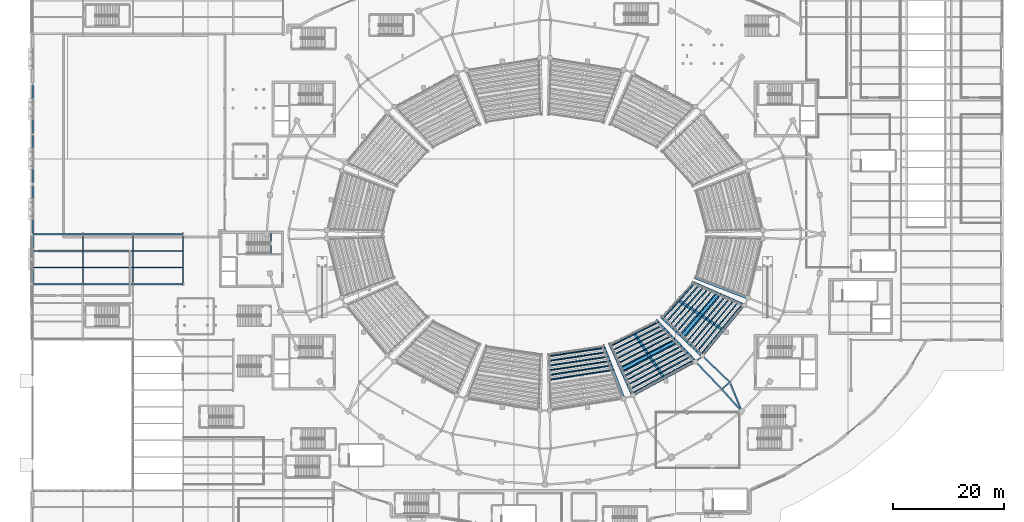
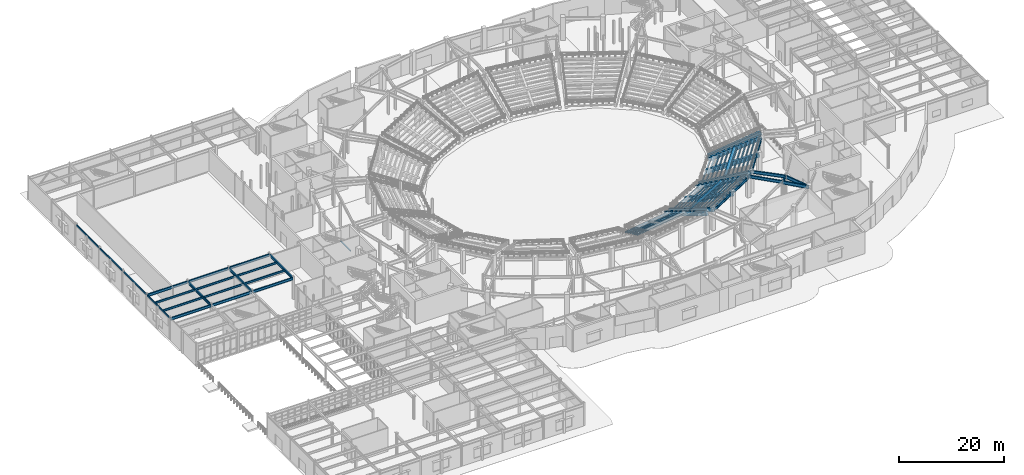
# One storey, part 33 of 79: 68 beams.
"""IFC4 building model written with IfcOpenShell, lengths in metres."""

from ifc_helpers import new_model, si_unit, direction, frame, origin, origin_2d, place, context, subcontext, project, spatial, rectangle, hollow_rectangle, i_section, extrude, material, material_profile, profile_set, type_object, element, save


model = new_model("IFC4")

# Units and contexts
model_context = context("Model", 3, precision=1e-05, world=origin(), true_north=direction((0.0, 1.0)))
body_context = subcontext(model_context, "Body", "Model", "MODEL_VIEW")
ifc_project = project(units=[si_unit("LENGTHUNIT", "METRE"), si_unit("AREAUNIT", "SQUARE_METRE"), si_unit("VOLUMEUNIT", "CUBIC_METRE"), si_unit("PLANEANGLEUNIT", "RADIAN"), si_unit("MASSUNIT", "GRAM", prefix="KILO")], contexts=[model_context])

# Site, building, storey
site_placement = place(None, origin())
site = spatial("IfcSite", under=ifc_project, at=site_placement, CompositionType="ELEMENT")
building_placement = place(site_placement, origin())
building = spatial("IfcBuilding", under=site, at=building_placement, Name="Glasvene Arena", CompositionType="ELEMENT")
storey_placement = place(building_placement, origin())
storey = spatial("IfcBuildingStorey", under=building, at=storey_placement, Name="L00", CompositionType="ELEMENT", Elevation=0.0)

# Beams
ifc_material_1 = material(Name="Steel S355J2", Category="steel")
ifc_material_profile_1 = material_profile(ifc_material_1, i_section(OverallWidth=0.228271484375, OverallDepth=0.607666015625, WebThickness=0.010986328125, FlangeThickness=0.017333984375, FilletRadius=0.0126953125, at=origin_2d()), Name="UKB 610x229x113")
ifc_profile_set_1 = profile_set([ifc_material_profile_1], Name="Steel S355J2")
beam_type_1 = type_object("IfcBeamType", Name="BM-GIRD-610", PredefinedType="BEAM", material=ifc_profile_set_1)
for number, where, z_axis, x_axis, name in (
    (1, (0.050048828125, 64.0, 4.816162109375), (1.0, 0.0, 0.0), (0.0, 1.0, 0.0), "Primary X girder L00-0314"),
    (2, (9.050048828125, 64.0, 4.816162109375), (1.0, 0.0, 0.0), (0.0, 1.0, 0.0), "Primary X girder L00-0315"),
    (3, (18.050048828125, 64.0, 4.816162109375), (1.0, 0.0, 0.0), (0.0, 1.0, 0.0), "Primary X girder L00-0316"),
    (4, (0.050048828125, 73.0, 4.816162109375), (1.0, 0.0, 0.0), (0.0, 1.0, 0.0), "Primary X girder L00-0319"),
    (5, (9.050048828125, 73.0, 4.816162109375), (1.0, 0.0, 0.0), (0.0, 1.0, 0.0), "Primary X girder L00-0320"),
    (6, (18.050048828125, 73.0, 4.816162109375), (1.0, 0.0, 0.0), (0.0, 1.0, 0.0), "Primary X girder L00-0321"),
):
    element("IfcBeam", number, at=place(storey_placement, frame(where, z_axis=z_axis, x_axis=x_axis)), inside=storey, type_object=beam_type_1, Name=name, PredefinedType="BEAM", context=body_context, shape_type="SweptSolid", body=[
        extrude(i_section(OverallWidth=0.228271484375, OverallDepth=0.607666015625, WebThickness=0.010986328125, FlangeThickness=0.017333984375, FilletRadius=0.0126953125, at=origin_2d()), origin(), (0.0, 0.0, 1.0), 8.89990234375),
    ])
for number, where, z_axis, x_axis, name in (
    (7, (9.0, 64.17919921875, 4.816162109375), (0.0, 1.0, 0.0), (-1.0, 0.0, 0.0), "Primary Y girder L00-0366"),
    (8, (18.0, 64.2451171875, 4.816162109375), (0.0, 1.0, 0.0), (-1.0, 0.0, 0.0), "Primary Y girder L00-0374"),
    (9, (27.0, 64.17919921875, 4.816162109375), (0.0, 1.0, 0.0), (-1.0, 0.0, 0.0), "Primary Y girder L00-0381"),
):
    element("IfcBeam", number, at=place(storey_placement, frame(where, z_axis=z_axis, x_axis=x_axis)), inside=storey, type_object=beam_type_1, Name=name, PredefinedType="BEAM", context=body_context, shape_type="SweptSolid", body=[
        extrude(i_section(OverallWidth=0.228271484375, OverallDepth=0.607666015625, WebThickness=0.010986328125, FlangeThickness=0.017333984375, FilletRadius=0.0126953125, at=origin_2d()), origin(), (0.0, 0.0, 1.0), 8.57568359375),
    ])
beam_1_placement = place(storey_placement, frame((107.819091796875, 43.995849609375, 4.35009765625), z_axis=(0.879784979892, 0.475371843042, 0.0), x_axis=(-0.475371843042, 0.879784979892, 0.0)))
element("IfcBeam", 10, at=beam_1_placement, inside=storey, type_object=beam_type_1, Name="Mid-bowl ring girder L00-27", PredefinedType="BEAM", context=body_context, shape_type="SweptSolid", body=[
    extrude(i_section(OverallWidth=0.228271484375, OverallDepth=0.607666015625, WebThickness=0.010986328125, FlangeThickness=0.017333984375, FilletRadius=0.0126953125, at=origin_2d()), origin(), (0.0, 0.0, 1.0), 12.802490234375),
])
beam_2_placement = place(storey_placement, frame((123.780517578125, 45.165771484375, 4.81494140625), z_axis=(0.766930434436, 0.641730246082, 0.0), x_axis=(-0.641730246082, 0.766930434436, 0.0)))
element("IfcBeam", 11, at=beam_2_placement, inside=storey, type_object=beam_type_1, Name="Concourse inner ring girder L00-28", PredefinedType="BEAM", context=body_context, shape_type="SweptSolid", body=[
    extrude(i_section(OverallWidth=0.228271484375, OverallDepth=0.607666015625, WebThickness=0.010986328125, FlangeThickness=0.017333984375, FilletRadius=0.0126953125, at=origin_2d()), origin(), (0.0, 0.0, 1.0), 1.924560546875),
])
beam_3_placement = place(storey_placement, frame((119.08251953125, 50.081787109375, 4.35009765625), z_axis=(0.77751541262, 0.628863882839, 0.0), x_axis=(-0.628863882839, 0.77751541262, 0.0)))
element("IfcBeam", 12, at=beam_3_placement, inside=storey, type_object=beam_type_1, Name="Mid-bowl ring girder L00-28", PredefinedType="BEAM", context=body_context, shape_type="SweptSolid", body=[
    extrude(i_section(OverallWidth=0.228271484375, OverallDepth=0.607666015625, WebThickness=0.010986328125, FlangeThickness=0.017333984375, FilletRadius=0.0126953125, at=origin_2d()), origin(), (0.0, 0.0, 1.0), 1.61767578125),
])
beam_4_placement = place(storey_placement, frame((120.34033203125, 51.09912109375, 4.35009765625), z_axis=(0.636971685607, 0.770887197802, 0.0), x_axis=(-0.770887197802, 0.636971685607, 0.0)))
element("IfcBeam", 13, at=beam_4_placement, inside=storey, type_object=beam_type_1, Name="Mid-bowl ring girder L00-29", PredefinedType="BEAM", context=body_context, shape_type="SweptSolid", body=[
    extrude(i_section(OverallWidth=0.228271484375, OverallDepth=0.607666015625, WebThickness=0.010986328125, FlangeThickness=0.017333984375, FilletRadius=0.0126953125, at=origin_2d()), origin(), (0.0, 0.0, 1.0), 11.8154296875),
])
ifc_material_profile_2 = material_profile(ifc_material_1, i_section(OverallWidth=0.253662109375, OverallDepth=0.68359375, WebThickness=0.012451171875, FlangeThickness=0.01904296875, FilletRadius=0.01513671875, at=origin_2d()), Name="UKB 686x254x140")
ifc_profile_set_2 = profile_set([ifc_material_profile_2], Name="Steel S355J2")
beam_type_2 = type_object("IfcBeamType", Name="BM-GIRD-686", PredefinedType="BEAM", material=ifc_profile_set_2)
beam_5_placement = place(storey_placement, frame((119.08251953125, 50.081787109375, 4.7783203125), z_axis=(0.690894054314, -0.722956019211, 0.0), x_axis=(0.722956019211, 0.690894054314, 0.0)))
element("IfcBeam", 14, at=beam_5_placement, inside=storey, type_object=beam_type_2, Name="Mid-to-rear radial girder L00-28", PredefinedType="BEAM", context=body_context, shape_type="SweptSolid", body=[
    extrude(i_section(OverallWidth=0.253662109375, OverallDepth=0.68359375, WebThickness=0.012451171875, FlangeThickness=0.01904296875, FilletRadius=0.01513671875, at=origin_2d()), origin(), (0.0, 0.0, 1.0), 6.7998046875),
])
beam_6_placement = place(storey_placement, frame((120.34033203125, 51.09912109375, 4.7783203125), z_axis=(0.722955223934, -0.690894886496, 0.0), x_axis=(0.690894886496, 0.722955223934, 0.0)))
element("IfcBeam", 15, at=beam_6_placement, inside=storey, type_object=beam_type_2, Name="Mid-to-rear radial girder L00-29", PredefinedType="BEAM", context=body_context, shape_type="SweptSolid", body=[
    extrude(i_section(OverallWidth=0.253662109375, OverallDepth=0.68359375, WebThickness=0.012451171875, FlangeThickness=0.01904296875, FilletRadius=0.01513671875, at=origin_2d()), origin(), (0.0, 0.0, 1.0), 6.80029296875),
])
ifc_material_profile_3 = material_profile(ifc_material_1, i_section(OverallWidth=0.2666015625, OverallDepth=0.76220703125, WebThickness=0.014404296875, FlangeThickness=0.021484375, FilletRadius=0.0166015625, at=origin_2d()), Name="UKB 762x267x173")
ifc_profile_set_3 = profile_set([ifc_material_profile_3], Name="Steel S355J2")
beam_type_3 = type_object("IfcBeamType", Name="BM-GIRD-762", PredefinedType="BEAM", material=ifc_profile_set_3)
beam_7_placement = place(storey_placement, frame((123.780517578125, 45.165771484375, 4.739013671875), z_axis=(0.667691455448, -0.744438123904, 0.0), x_axis=(0.744438123904, 0.667691455448, 0.0)))
element("IfcBeam", 16, at=beam_7_placement, inside=storey, type_object=beam_type_3, Name="Radial concourse girder L00-28", PredefinedType="BEAM", context=body_context, shape_type="SweptSolid", body=[
    extrude(i_section(OverallWidth=0.2666015625, OverallDepth=0.76220703125, WebThickness=0.014404296875, FlangeThickness=0.021484375, FilletRadius=0.0166015625, at=origin_2d()), origin(), (0.0, 0.0, 1.0), 5.353759765625),
])
beam_8_placement = place(storey_placement, frame((125.256591796875, 46.40087890625, 4.739013671875), z_axis=(0.372976095384, -0.927840952034, 0.0), x_axis=(0.927840952034, 0.372976095384, 0.0)))
element("IfcBeam", 17, at=beam_8_placement, inside=storey, type_object=beam_type_3, Name="Radial concourse girder L00-29", PredefinedType="BEAM", context=body_context, shape_type="SweptSolid", body=[
    extrude(i_section(OverallWidth=0.2666015625, OverallDepth=0.76220703125, WebThickness=0.014404296875, FlangeThickness=0.021484375, FilletRadius=0.0166015625, at=origin_2d()), origin(), (0.0, 0.0, 1.0), 5.626708984375),
])
ifc_material_profile_4 = material_profile(ifc_material_1, i_section(OverallWidth=0.1904296875, OverallDepth=0.45703125, WebThickness=0.009033203125, FlangeThickness=0.014404296875, FilletRadius=0.01025390625, at=origin_2d()), Name="UKB 457x191x74")
ifc_profile_set_4 = profile_set([ifc_material_profile_4], Name="Steel S355J2")
beam_type_4 = type_object("IfcBeamType", Name="BM-JOIST-457", PredefinedType="JOIST", material=ifc_profile_set_4)
for number, where, z_axis, x_axis, name in (
    (18, (0.095947265625, 67.0, 4.8916015625), (1.0, 0.0, 0.0), (0.0, 1.0, 0.0), "Composite floor joist L00-0432"),
    (19, (0.095947265625, 70.0, 4.8916015625), (1.0, 0.0, 0.0), (0.0, 1.0, 0.0), "Composite floor joist L00-0433"),
):
    element("IfcBeam", number, at=place(storey_placement, frame(where, z_axis=z_axis, x_axis=x_axis)), inside=storey, type_object=beam_type_4, Name=name, PredefinedType="JOIST", context=body_context, shape_type="SweptSolid", body=[
        extrude(i_section(OverallWidth=0.1904296875, OverallDepth=0.45703125, WebThickness=0.009033203125, FlangeThickness=0.014404296875, FilletRadius=0.01025390625, at=origin_2d()), origin(), (0.0, 0.0, 1.0), 8.7939453125),
    ])
for number, where, z_axis, x_axis, name in (
    (20, (9.110107421875, 67.0, 4.8916015625), (1.0, 0.0, 0.0), (0.0, 1.0, 0.0), "Composite floor joist L00-0441"),
    (21, (9.110107421875, 70.0, 4.8916015625), (1.0, 0.0, 0.0), (0.0, 1.0, 0.0), "Composite floor joist L00-0442"),
    (22, (18.110107421875, 67.0, 4.8916015625), (1.0, 0.0, 0.0), (0.0, 1.0, 0.0), "Composite floor joist L00-0454"),
    (23, (18.110107421875, 70.0, 4.8916015625), (1.0, 0.0, 0.0), (0.0, 1.0, 0.0), "Composite floor joist L00-0455"),
):
    element("IfcBeam", number, at=place(storey_placement, frame(where, z_axis=z_axis, x_axis=x_axis)), inside=storey, type_object=beam_type_4, Name=name, PredefinedType="JOIST", context=body_context, shape_type="SweptSolid", body=[
        extrude(i_section(OverallWidth=0.1904296875, OverallDepth=0.45703125, WebThickness=0.009033203125, FlangeThickness=0.014404296875, FilletRadius=0.01025390625, at=origin_2d()), origin(), (0.0, 0.0, 1.0), 8.77978515625),
    ])
ifc_material_profile_5 = material_profile(ifc_material_1, hollow_rectangle(XDim=0.199951171875, YDim=0.199951171875, WallThickness=0.010009765625, at=origin_2d()), Name="SHS 200x200x10.0")
ifc_profile_set_5 = profile_set([ifc_material_profile_5], Name="Steel S355J2")
beam_type_5 = type_object("IfcBeamType", Name="BM-LINTEL-200", PredefinedType="LINTEL", material=ifc_profile_set_5)
beam_9_placement = place(storey_placement, frame((42.77001953125, 69.429931640625, 2.3798828125), z_axis=(0.0, 1.0, 0.0), x_axis=(-1.0, 0.0, 0.0)))
element("IfcBeam", 24, at=beam_9_placement, inside=storey, type_object=beam_type_5, Name="Stair half-landing support beam ST-07-L00", PredefinedType="LINTEL", context=body_context, shape_type="SweptSolid", body=[
    extrude(hollow_rectangle(XDim=0.199951171875, YDim=0.199951171875, WallThickness=0.010009765625, at=origin_2d()), origin(), (0.0, 0.0, 1.0), 3.7900390625),
])
ifc_material_2 = material(Name="Precast concrete C50/60", Category="concrete")
ifc_material_profile_6 = material_profile(ifc_material_2, rectangle(XDim=0.5, YDim=0.89990234375, at=origin_2d()), Name="RC 500x900")
ifc_profile_set_6 = profile_set([ifc_material_profile_6], Name="Precast concrete C50/60")
beam_type_6 = type_object("IfcBeamType", Name="BM-RAKER-LOW", PredefinedType="USERDEFINED", material=ifc_profile_set_6)
beam_10_placement = place(storey_placement, frame((102.487060546875, 52.955078125, 0.2900390625), z_axis=(0.332059304254, -0.856070819995, 0.396080004055), x_axis=(0.932319645998, 0.361635282691, 0.0)))
element("IfcBeam", 25, at=beam_10_placement, inside=storey, type_object=beam_type_6, Name="Lower bowl raker beam RKL-13-3", ObjectType="RAKER BEAM", PredefinedType="USERDEFINED", context=body_context, shape_type="SweptSolid", body=[
    extrude(rectangle(XDim=0.5, YDim=0.89990234375, at=origin_2d()), origin(), (0.0, 0.0, 1.0), 11.108642578125),
])
for number, where, z_axis, x_axis, name in (
    (26, (103.702880859375, 53.328369140625, 0.2900390625), (0.370546840935, -0.840125951458, 0.396085122618), (0.914956794247, 0.40355181162, 0.0), "Lower bowl raker beam RKL-14-1"),
    (27, (108.111572265625, 55.123291015625, 0.27001953125), (0.51012920088, -0.763468535615, 0.396085841121), (0.831471707819, 0.555567096845, 0.0), "Lower bowl raker beam RKL-14-2"),
):
    element("IfcBeam", number, at=place(storey_placement, frame(where, z_axis=z_axis, x_axis=x_axis)), inside=storey, type_object=beam_type_6, Name=name, ObjectType="RAKER BEAM", PredefinedType="USERDEFINED", context=body_context, shape_type="SweptSolid", body=[
        extrude(rectangle(XDim=0.5, YDim=0.89990234375, at=origin_2d()), origin(), (0.0, 0.0, 1.0), 11.1083984375),
    ])
beam_11_placement = place(storey_placement, frame((112.03564453125, 57.456298828125, 0.2900390625), z_axis=(0.634362072065, -0.663856040355, 0.396080697851), x_axis=(0.722984846356, 0.690863888142, 0.0)))
element("IfcBeam", 28, at=beam_11_placement, inside=storey, type_object=beam_type_6, Name="Lower bowl raker beam RKL-14-3", ObjectType="RAKER BEAM", PredefinedType="USERDEFINED", context=body_context, shape_type="SweptSolid", body=[
    extrude(rectangle(XDim=0.5, YDim=0.89990234375, at=origin_2d()), origin(), (0.0, 0.0, 1.0), 11.108642578125),
])
for number, where, z_axis, x_axis, name in (
    (29, (112.966064453125, 58.14599609375, 0.2900390625), (0.663843748108, -0.634371327442, 0.39608647669), (0.690875843477, 0.722973421987, 0.0), "Lower bowl raker beam RKL-15-1"),
    (30, (116.112548828125, 61.05517578125, 0.27001953125), (0.763468535615, -0.51012920088, 0.396085841121), (0.555567096845, 0.831471707819, 0.0), "Lower bowl raker beam RKL-15-2"),
):
    element("IfcBeam", number, at=place(storey_placement, frame(where, z_axis=z_axis, x_axis=x_axis)), inside=storey, type_object=beam_type_6, Name=name, ObjectType="RAKER BEAM", PredefinedType="USERDEFINED", context=body_context, shape_type="SweptSolid", body=[
        extrude(rectangle(XDim=0.5, YDim=0.89990234375, at=origin_2d()), origin(), (0.0, 0.0, 1.0), 11.1083984375),
    ])
for number, where, z_axis, x_axis, name in (
    (31, (118.53369140625, 64.32373046875, 0.2900390625), (0.840132416913, -0.370539999193, 0.396077809339), (0.403542974047, 0.914960692105, 0.0), "Lower bowl raker beam RKL-15-3"),
    (32, (119.037353515625, 65.22509765625, 0.2900390625), (0.856077067342, -0.332039749779, 0.396082894528), (0.361614477563, 0.932327715783, 0.0), "Lower bowl raker beam RKL-16-1"),
):
    element("IfcBeam", number, at=place(storey_placement, frame(where, z_axis=z_axis, x_axis=x_axis)), inside=storey, type_object=beam_type_6, Name=name, ObjectType="RAKER BEAM", PredefinedType="USERDEFINED", context=body_context, shape_type="SweptSolid", body=[
        extrude(rectangle(XDim=0.5, YDim=0.89990234375, at=origin_2d()), origin(), (0.0, 0.0, 1.0), 11.108642578125),
    ])
ifc_material_profile_7 = material_profile(ifc_material_2, rectangle(XDim=0.60009765625, YDim=1.10009765625, at=origin_2d()), Name="RC 600x1100")
ifc_profile_set_7 = profile_set([ifc_material_profile_7], Name="Precast concrete C50/60")
beam_type_7 = type_object("IfcBeamType", Name="BM-RAKER-MID", PredefinedType="USERDEFINED", material=ifc_profile_set_7)
beam_12_placement = place(storey_placement, frame((105.760986328125, 48.662109375, 2.3798828125), z_axis=(0.886774671414, 0.46220199279, 0.0), x_axis=(-0.46220199279, 0.886774671414, 0.0)))
element("IfcBeam", 33, at=beam_12_placement, inside=storey, type_object=beam_type_7, Name="Lower bowl tie raker beam RKM-14", ObjectType="RAKER BEAM", PredefinedType="USERDEFINED", context=body_context, shape_type="SweptSolid", body=[
    extrude(rectangle(XDim=0.60009765625, YDim=1.10009765625, at=origin_2d()), origin(), (0.0, 0.0, 1.0), 11.049072265625),
])
beam_13_placement = place(storey_placement, frame((116.6533203125, 54.62255859375, 2.3798828125), z_axis=(0.650543606183, 0.759468904205, 0.0), x_axis=(-0.759468904205, 0.650543606183, 0.0)))
element("IfcBeam", 34, at=beam_13_placement, inside=storey, type_object=beam_type_7, Name="Lower bowl tie raker beam RKM-15", ObjectType="RAKER BEAM", PredefinedType="USERDEFINED", context=body_context, shape_type="SweptSolid", body=[
    extrude(rectangle(XDim=0.60009765625, YDim=1.10009765625, at=origin_2d()), origin(), (0.0, 0.0, 1.0), 10.063720703125),
])
ifc_material_profile_8 = material_profile(ifc_material_1, hollow_rectangle(XDim=0.199951171875, YDim=0.300048828125, WallThickness=0.012451171875, at=origin_2d()), Name="RHS 300x200x12.5")
ifc_profile_set_8 = profile_set([ifc_material_profile_8], Name="Steel S355J2")
beam_type_8 = type_object("IfcBeamType", Name="BM-SPAND-300", PredefinedType="SPANDREL", material=ifc_profile_set_8)
for number, where, z_axis, x_axis, name in (
    (35, (0.0, 64.2451171875, 4.969970703125), (0.0, 1.0, 0.0), (-1.0, 0.0, 0.0), "Primary Y girder L00-0356"),
    (36, (0.0, 73.17919921875, 4.969970703125), (0.0, 1.0, 0.0), (-1.0, 0.0, 0.0), "Primary Y girder L00-0357"),
    (37, (0.0, 82.2451171875, 4.969970703125), (0.0, 1.0, 0.0), (-1.0, 0.0, 0.0), "Primary Y girder L00-0358"),
    (38, (0.0, 91.17919921875, 4.969970703125), (0.0, 1.0, 0.0), (-1.0, 0.0, 0.0), "Primary Y girder L00-0359"),
):
    element("IfcBeam", number, at=place(storey_placement, frame(where, z_axis=z_axis, x_axis=x_axis)), inside=storey, type_object=beam_type_8, Name=name, PredefinedType="SPANDREL", context=body_context, shape_type="SweptSolid", body=[
        extrude(hollow_rectangle(XDim=0.199951171875, YDim=0.300048828125, WallThickness=0.012451171875, at=origin_2d()), origin(), (0.0, 0.0, 1.0), 8.57568359375),
    ])
ifc_material_profile_9 = material_profile(ifc_material_2, rectangle(XDim=0.219970703125, YDim=0.219970703125, at=origin_2d()), Name="RC 220x220")
ifc_profile_set_9 = profile_set([ifc_material_profile_9], Name="Precast concrete C50/60")
beam_type_9 = type_object("IfcBeamType", Name="BM-TIER-BEARER", PredefinedType="BEAM", material=ifc_profile_set_9)
beam_14_placement = place(storey_placement, frame((92.66748046875, 51.085693359375, 0.425048828125), z_axis=(0.989195788791, 0.146600448291, 0.0), x_axis=(-0.146600448291, 0.989195788791, 0.0)))
element("IfcBeam", 39, at=beam_14_placement, inside=storey, type_object=beam_type_9, Name="Lower tier precast row bearer 13-R01", PredefinedType="BEAM", context=body_context, shape_type="SweptSolid", body=[
    extrude(rectangle(XDim=0.219970703125, YDim=0.219970703125, at=origin_2d()), origin(), (0.0, 0.0, 1.0), 10.080322265625),
])
beam_15_placement = place(storey_placement, frame((92.686767578125, 50.23583984375, 0.804931640625), z_axis=(0.988989629928, 0.147984836708, 0.0), x_axis=(-0.147984836708, 0.988989629928, 0.0)))
element("IfcBeam", 40, at=beam_15_placement, inside=storey, type_object=beam_type_9, Name="Lower tier precast row bearer 13-R02", PredefinedType="BEAM", context=body_context, shape_type="SweptSolid", body=[
    extrude(rectangle(XDim=0.219970703125, YDim=0.219970703125, at=origin_2d()), origin(), (0.0, 0.0, 1.0), 10.373779296875),
])
beam_16_placement = place(storey_placement, frame((92.7060546875, 49.385986328125, 1.18505859375), z_axis=(0.988793541595, 0.149289423938, 0.0), x_axis=(-0.149289423938, 0.988793541595, 0.0)))
element("IfcBeam", 41, at=beam_16_placement, inside=storey, type_object=beam_type_9, Name="Lower tier precast row bearer 13-R03", PredefinedType="BEAM", context=body_context, shape_type="SweptSolid", body=[
    extrude(rectangle(XDim=0.219970703125, YDim=0.219970703125, at=origin_2d()), origin(), (0.0, 0.0, 1.0), 10.66748046875),
])
beam_17_placement = place(storey_placement, frame((92.725341796875, 48.536376953125, 1.56494140625), z_axis=(0.988608680389, 0.150508727517, 0.0), x_axis=(-0.150508727517, 0.988608680389, 0.0)))
element("IfcBeam", 42, at=beam_17_placement, inside=storey, type_object=beam_type_9, Name="Lower tier precast row bearer 13-R04", PredefinedType="BEAM", context=body_context, shape_type="SweptSolid", body=[
    extrude(rectangle(XDim=0.219970703125, YDim=0.219970703125, at=origin_2d()), origin(), (0.0, 0.0, 1.0), 10.96044921875),
])
beam_18_placement = place(storey_placement, frame((92.74462890625, 47.6865234375, 1.945068359375), z_axis=(0.988429309162, 0.151682236237, 0.0), x_axis=(-0.151682236237, 0.988429309162, 0.0)))
element("IfcBeam", 43, at=beam_18_placement, inside=storey, type_object=beam_type_9, Name="Lower tier precast row bearer 13-R05", PredefinedType="BEAM", context=body_context, shape_type="SweptSolid", body=[
    extrude(rectangle(XDim=0.219970703125, YDim=0.219970703125, at=origin_2d()), origin(), (0.0, 0.0, 1.0), 11.25390625),
])
beam_19_placement = place(storey_placement, frame((92.763916015625, 46.836669921875, 2.324951171875), z_axis=(0.988257766045, 0.1527959026, 0.0), x_axis=(-0.1527959026, 0.988257766045, 0.0)))
element("IfcBeam", 44, at=beam_19_placement, inside=storey, type_object=beam_type_9, Name="Lower tier precast row bearer 13-R06", PredefinedType="BEAM", context=body_context, shape_type="SweptSolid", body=[
    extrude(rectangle(XDim=0.219970703125, YDim=0.219970703125, at=origin_2d()), origin(), (0.0, 0.0, 1.0), 11.54736328125),
])
beam_20_placement = place(storey_placement, frame((103.872314453125, 52.944091796875, 0.425048828125), z_axis=(0.895196314229, 0.445672030749, 0.0), x_axis=(-0.445672030749, 0.895196314229, 0.0)))
element("IfcBeam", 45, at=beam_20_placement, inside=storey, type_object=beam_type_9, Name="Lower tier precast row bearer 14-R01", PredefinedType="BEAM", context=body_context, shape_type="SweptSolid", body=[
    extrude(rectangle(XDim=0.219970703125, YDim=0.219970703125, at=origin_2d()), origin(), (0.0, 0.0, 1.0), 9.443115234375),
])
beam_21_placement = place(storey_placement, frame((104.21533203125, 52.16650390625, 0.804931640625), z_axis=(0.893492276807, 0.449078558034, 0.0), x_axis=(-0.449078558034, 0.893492276807, 0.0)))
element("IfcBeam", 46, at=beam_21_placement, inside=storey, type_object=beam_type_9, Name="Lower tier precast row bearer 14-R02", PredefinedType="BEAM", context=body_context, shape_type="SweptSolid", body=[
    extrude(rectangle(XDim=0.219970703125, YDim=0.219970703125, at=origin_2d()), origin(), (0.0, 0.0, 1.0), 9.734619140625),
])
beam_22_placement = place(storey_placement, frame((104.558349609375, 51.388671875, 1.18505859375), z_axis=(0.891860698472, 0.452310175125, 0.0), x_axis=(-0.452310175125, 0.891860698472, 0.0)))
element("IfcBeam", 47, at=beam_22_placement, inside=storey, type_object=beam_type_9, Name="Lower tier precast row bearer 14-R03", PredefinedType="BEAM", context=body_context, shape_type="SweptSolid", body=[
    extrude(rectangle(XDim=0.219970703125, YDim=0.219970703125, at=origin_2d()), origin(), (0.0, 0.0, 1.0), 10.026123046875),
])
beam_23_placement = place(storey_placement, frame((104.9013671875, 50.61083984375, 1.56494140625), z_axis=(0.890310631504, 0.455353686086, 0.0), x_axis=(-0.455353686086, 0.890310631504, 0.0)))
element("IfcBeam", 48, at=beam_23_placement, inside=storey, type_object=beam_type_9, Name="Lower tier precast row bearer 14-R04", PredefinedType="BEAM", context=body_context, shape_type="SweptSolid", body=[
    extrude(rectangle(XDim=0.219970703125, YDim=0.219970703125, at=origin_2d()), origin(), (0.0, 0.0, 1.0), 10.31787109375),
])
beam_24_placement = place(storey_placement, frame((105.244384765625, 49.833251953125, 1.945068359375), z_axis=(0.888850467497, 0.458197388065, 0.0), x_axis=(-0.458197388065, 0.888850467497, 0.0)))
element("IfcBeam", 49, at=beam_24_placement, inside=storey, type_object=beam_type_9, Name="Lower tier precast row bearer 14-R05", PredefinedType="BEAM", context=body_context, shape_type="SweptSolid", body=[
    extrude(rectangle(XDim=0.219970703125, YDim=0.219970703125, at=origin_2d()), origin(), (0.0, 0.0, 1.0), 10.609619140625),
])
beam_25_placement = place(storey_placement, frame((105.58740234375, 49.055419921875, 2.324951171875), z_axis=(0.887455386192, 0.460893629289, 0.0), x_axis=(-0.460893629289, 0.887455386192, 0.0)))
element("IfcBeam", 50, at=beam_25_placement, inside=storey, type_object=beam_type_9, Name="Lower tier precast row bearer 14-R06", PredefinedType="BEAM", context=body_context, shape_type="SweptSolid", body=[
    extrude(rectangle(XDim=0.219970703125, YDim=0.219970703125, at=origin_2d()), origin(), (0.0, 0.0, 1.0), 10.9013671875),
])
beam_26_placement = place(storey_placement, frame((105.930419921875, 48.27783203125, 2.705078125), z_axis=(0.886130183156, 0.463436401785, 0.0), x_axis=(-0.463436401785, 0.886130183156, 0.0)))
element("IfcBeam", 51, at=beam_26_placement, inside=storey, type_object=beam_type_9, Name="Lower tier precast row bearer 14-R07", PredefinedType="BEAM", context=body_context, shape_type="SweptSolid", body=[
    extrude(rectangle(XDim=0.219970703125, YDim=0.219970703125, at=origin_2d()), origin(), (0.0, 0.0, 1.0), 11.193603515625),
])
beam_27_placement = place(storey_placement, frame((106.2734375, 47.5, 3.0849609375), z_axis=(0.884852277857, 0.465871705914, 0.0), x_axis=(-0.465871705914, 0.884852277857, 0.0)))
element("IfcBeam", 52, at=beam_27_placement, inside=storey, type_object=beam_type_9, Name="Lower tier precast row bearer 14-R08", PredefinedType="BEAM", context=body_context, shape_type="SweptSolid", body=[
    extrude(rectangle(XDim=0.219970703125, YDim=0.219970703125, at=origin_2d()), origin(), (0.0, 0.0, 1.0), 11.485595703125),
])
beam_28_placement = place(storey_placement, frame((106.616455078125, 46.722412109375, 3.465087890625), z_axis=(0.883640135424, 0.46816675562, 0.0), x_axis=(-0.46816675562, 0.883640135424, 0.0)))
element("IfcBeam", 53, at=beam_28_placement, inside=storey, type_object=beam_type_9, Name="Lower tier precast row bearer 14-R09", PredefinedType="BEAM", context=body_context, shape_type="SweptSolid", body=[
    extrude(rectangle(XDim=0.219970703125, YDim=0.219970703125, at=origin_2d()), origin(), (0.0, 0.0, 1.0), 11.777587890625),
])
beam_29_placement = place(storey_placement, frame((106.95947265625, 45.944580078125, 3.844970703125), z_axis=(0.882477211034, 0.470355155181, 0.0), x_axis=(-0.470355155181, 0.882477211034, 0.0)))
element("IfcBeam", 54, at=beam_29_placement, inside=storey, type_object=beam_type_9, Name="Lower tier precast row bearer 14-R10", PredefinedType="BEAM", context=body_context, shape_type="SweptSolid", body=[
    extrude(rectangle(XDim=0.219970703125, YDim=0.219970703125, at=origin_2d()), origin(), (0.0, 0.0, 1.0), 12.070068359375),
])
beam_30_placement = place(storey_placement, frame((107.302490234375, 45.1669921875, 4.22509765625), z_axis=(0.881368087767, 0.472430199994, 0.0), x_axis=(-0.472430199994, 0.881368087767, 0.0)))
element("IfcBeam", 55, at=beam_30_placement, inside=storey, type_object=beam_type_9, Name="Lower tier precast row bearer 14-R11", PredefinedType="BEAM", context=body_context, shape_type="SweptSolid", body=[
    extrude(rectangle(XDim=0.219970703125, YDim=0.219970703125, at=origin_2d()), origin(), (0.0, 0.0, 1.0), 12.3623046875),
])
beam_31_placement = place(storey_placement, frame((107.6455078125, 44.38916015625, 4.60498046875), z_axis=(0.880297585469, 0.474421922994, 0.0), x_axis=(-0.474421922994, 0.880297585469, 0.0)))
element("IfcBeam", 56, at=beam_31_placement, inside=storey, type_object=beam_type_9, Name="Lower tier precast row bearer 14-R12", PredefinedType="BEAM", context=body_context, shape_type="SweptSolid", body=[
    extrude(rectangle(XDim=0.219970703125, YDim=0.219970703125, at=origin_2d()), origin(), (0.0, 0.0, 1.0), 12.65478515625),
])
beam_32_placement = place(storey_placement, frame((113.269775390625, 57.85595703125, 0.425048828125), z_axis=(0.667653134954, 0.744472492028, 0.0), x_axis=(-0.744472492028, 0.667653134954, 0.0)))
element("IfcBeam", 57, at=beam_32_placement, inside=storey, type_object=beam_type_9, Name="Lower tier precast row bearer 15-R01", PredefinedType="BEAM", context=body_context, shape_type="SweptSolid", body=[
    extrude(rectangle(XDim=0.219970703125, YDim=0.219970703125, at=origin_2d()), origin(), (0.0, 0.0, 1.0), 8.460205078125),
])
beam_33_placement = place(storey_placement, frame((113.88427734375, 57.2685546875, 0.804931640625), z_axis=(0.664093661904, 0.747649388563, 0.0), x_axis=(-0.747649388563, 0.664093661904, 0.0)))
element("IfcBeam", 58, at=beam_33_placement, inside=storey, type_object=beam_type_9, Name="Lower tier precast row bearer 15-R02", PredefinedType="BEAM", context=body_context, shape_type="SweptSolid", body=[
    extrude(rectangle(XDim=0.219970703125, YDim=0.219970703125, at=origin_2d()), origin(), (0.0, 0.0, 1.0), 8.7509765625),
])
beam_34_placement = place(storey_placement, frame((114.498779296875, 56.681396484375, 1.18505859375), z_axis=(0.660763009809, 0.750594594217, 0.0), x_axis=(-0.750594594217, 0.660763009809, 0.0)))
element("IfcBeam", 59, at=beam_34_placement, inside=storey, type_object=beam_type_9, Name="Lower tier precast row bearer 15-R03", PredefinedType="BEAM", context=body_context, shape_type="SweptSolid", body=[
    extrude(rectangle(XDim=0.219970703125, YDim=0.219970703125, at=origin_2d()), origin(), (0.0, 0.0, 1.0), 9.0419921875),
])
beam_35_placement = place(storey_placement, frame((115.11328125, 56.093994140625, 1.56494140625), z_axis=(0.657630080735, 0.753341009711, 0.0), x_axis=(-0.753341009711, 0.657630080735, 0.0)))
element("IfcBeam", 60, at=beam_35_placement, inside=storey, type_object=beam_type_9, Name="Lower tier precast row bearer 15-R04", PredefinedType="BEAM", context=body_context, shape_type="SweptSolid", body=[
    extrude(rectangle(XDim=0.219970703125, YDim=0.219970703125, at=origin_2d()), origin(), (0.0, 0.0, 1.0), 9.33349609375),
])
beam_36_placement = place(storey_placement, frame((115.727783203125, 55.5068359375, 1.945068359375), z_axis=(0.654689080051, 0.755898279176, 0.0), x_axis=(-0.755898279176, 0.654689080051, 0.0)))
element("IfcBeam", 61, at=beam_36_placement, inside=storey, type_object=beam_type_9, Name="Lower tier precast row bearer 15-R05", PredefinedType="BEAM", context=body_context, shape_type="SweptSolid", body=[
    extrude(rectangle(XDim=0.219970703125, YDim=0.219970703125, at=origin_2d()), origin(), (0.0, 0.0, 1.0), 9.624755859375),
])
beam_37_placement = place(storey_placement, frame((116.34228515625, 54.919677734375, 2.324951171875), z_axis=(0.651897728646, 0.758306897889, 0.0), x_axis=(-0.758306897889, 0.651897728646, 0.0)))
element("IfcBeam", 62, at=beam_37_placement, inside=storey, type_object=beam_type_9, Name="Lower tier precast row bearer 15-R06", PredefinedType="BEAM", context=body_context, shape_type="SweptSolid", body=[
    extrude(rectangle(XDim=0.219970703125, YDim=0.219970703125, at=origin_2d()), origin(), (0.0, 0.0, 1.0), 9.916259765625),
])
beam_38_placement = place(storey_placement, frame((116.956787109375, 54.33251953125, 2.705078125), z_axis=(0.649271490682, 0.760556724635, 0.0), x_axis=(-0.760556724635, 0.649271490682, 0.0)))
element("IfcBeam", 63, at=beam_38_placement, inside=storey, type_object=beam_type_9, Name="Lower tier precast row bearer 15-R07", PredefinedType="BEAM", context=body_context, shape_type="SweptSolid", body=[
    extrude(rectangle(XDim=0.219970703125, YDim=0.219970703125, at=origin_2d()), origin(), (0.0, 0.0, 1.0), 10.207763671875),
])
beam_39_placement = place(storey_placement, frame((117.5712890625, 53.7451171875, 3.0849609375), z_axis=(0.646759064812, 0.762694376591, 0.0), x_axis=(-0.762694376591, 0.646759064812, 0.0)))
element("IfcBeam", 64, at=beam_39_placement, inside=storey, type_object=beam_type_9, Name="Lower tier precast row bearer 15-R08", PredefinedType="BEAM", context=body_context, shape_type="SweptSolid", body=[
    extrude(rectangle(XDim=0.219970703125, YDim=0.219970703125, at=origin_2d()), origin(), (0.0, 0.0, 1.0), 10.499755859375),
])
beam_40_placement = place(storey_placement, frame((118.185791015625, 53.157958984375, 3.465087890625), z_axis=(0.644400439475, 0.764688219867, 0.0), x_axis=(-0.764688219867, 0.644400439475, 0.0)))
element("IfcBeam", 65, at=beam_40_placement, inside=storey, type_object=beam_type_9, Name="Lower tier precast row bearer 15-R09", PredefinedType="BEAM", context=body_context, shape_type="SweptSolid", body=[
    extrude(rectangle(XDim=0.219970703125, YDim=0.219970703125, at=origin_2d()), origin(), (0.0, 0.0, 1.0), 10.79150390625),
])
beam_41_placement = place(storey_placement, frame((118.80029296875, 52.570556640625, 3.844970703125), z_axis=(0.642136609284, 0.766590226273, 0.0), x_axis=(-0.766590226273, 0.642136609284, 0.0)))
element("IfcBeam", 66, at=beam_41_placement, inside=storey, type_object=beam_type_9, Name="Lower tier precast row bearer 15-R10", PredefinedType="BEAM", context=body_context, shape_type="SweptSolid", body=[
    extrude(rectangle(XDim=0.219970703125, YDim=0.219970703125, at=origin_2d()), origin(), (0.0, 0.0, 1.0), 11.08349609375),
])
beam_42_placement = place(storey_placement, frame((119.414794921875, 51.9833984375, 4.22509765625), z_axis=(0.640007060348, 0.768369027684, 0.0), x_axis=(-0.768369027684, 0.640007060348, 0.0)))
element("IfcBeam", 67, at=beam_42_placement, inside=storey, type_object=beam_type_9, Name="Lower tier precast row bearer 15-R11", PredefinedType="BEAM", context=body_context, shape_type="SweptSolid", body=[
    extrude(rectangle(XDim=0.219970703125, YDim=0.219970703125, at=origin_2d()), origin(), (0.0, 0.0, 1.0), 11.375732421875),
])
beam_43_placement = place(storey_placement, frame((120.029296875, 51.39599609375, 4.60498046875), z_axis=(0.637956893012, 0.770072076275, 0.0), x_axis=(-0.770072076275, 0.637956893012, 0.0)))
element("IfcBeam", 68, at=beam_43_placement, inside=storey, type_object=beam_type_9, Name="Lower tier precast row bearer 15-R12", PredefinedType="BEAM", context=body_context, shape_type="SweptSolid", body=[
    extrude(rectangle(XDim=0.219970703125, YDim=0.219970703125, at=origin_2d()), origin(), (0.0, 0.0, 1.0), 11.66796875),
])

save(model, "model.ifc")
